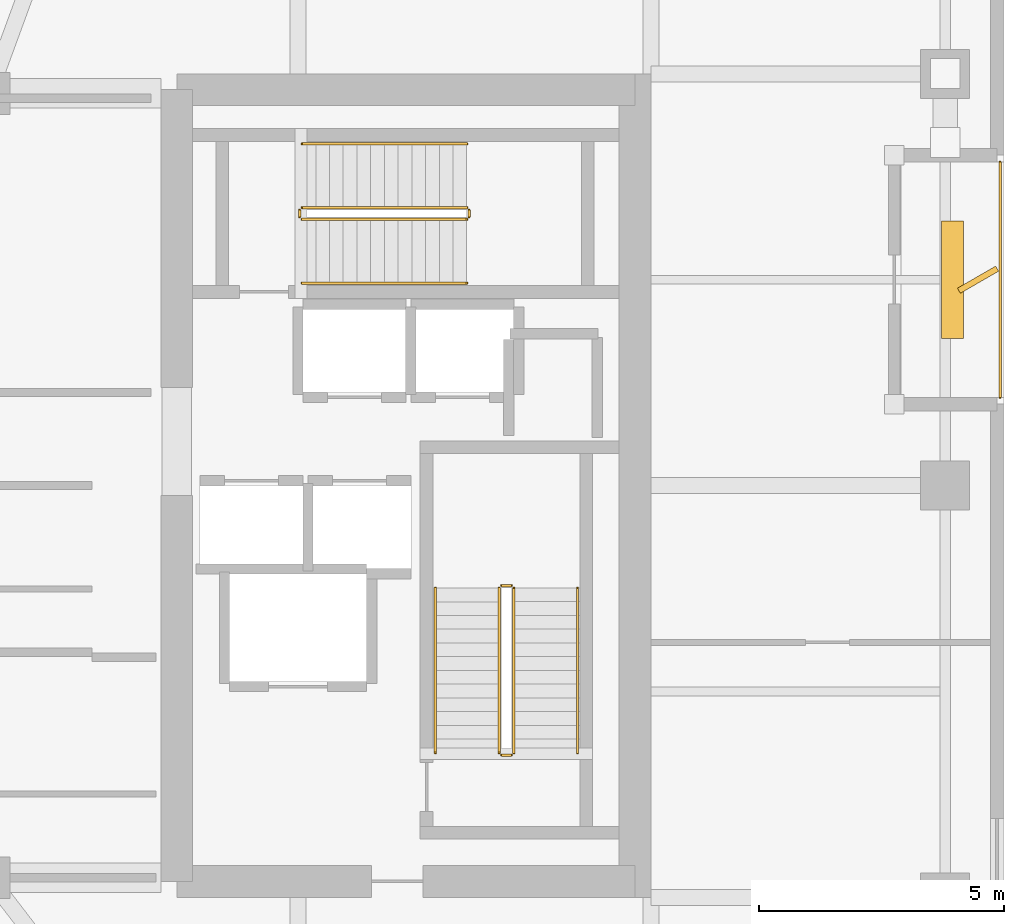
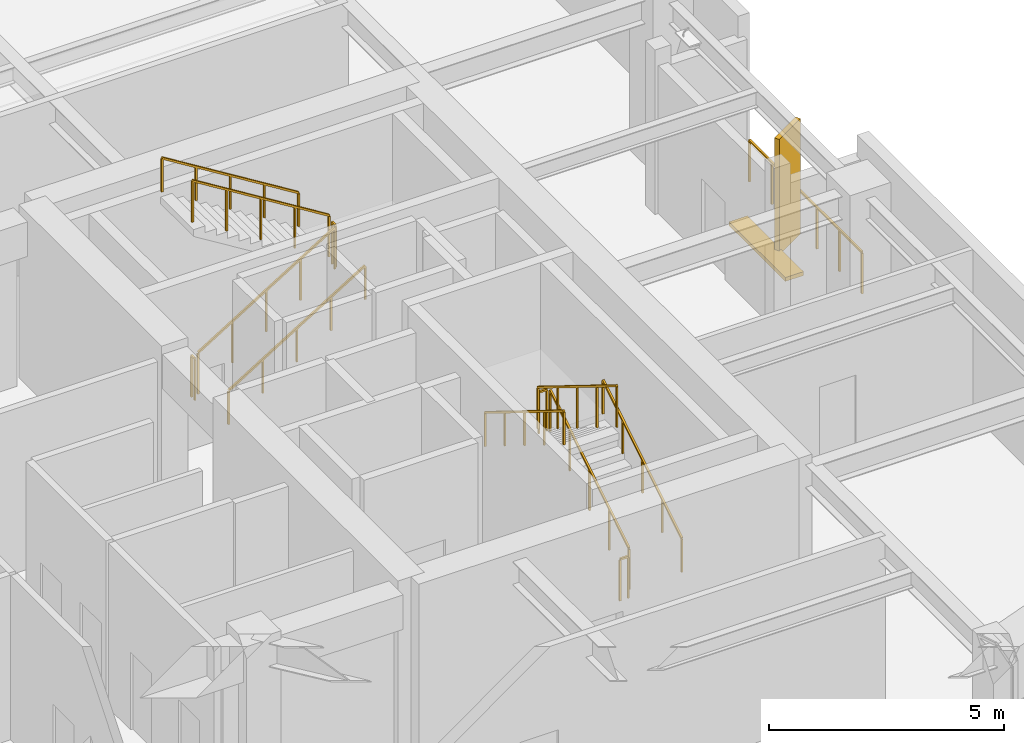
# One storey, part 18 of 19: 13 railings, 2 shading devices.
"""IFC4 building model written with IfcOpenShell, lengths in metres."""

from ifc_helpers import new_model, si_unit, direction, frame, origin, origin_2d, place, context, subcontext, project, spatial, rectangle, extrude, material, type_object, element, save


model = new_model("IFC4")

# Units and contexts
model_context = context("Model", 3, precision=1e-05, world=origin(), true_north=direction((0.0, 1.0)))
body_context = subcontext(model_context, "Body", "Model", "MODEL_VIEW")
ifc_project = project(units=[si_unit("LENGTHUNIT", "METRE"), si_unit("AREAUNIT", "SQUARE_METRE"), si_unit("VOLUMEUNIT", "CUBIC_METRE"), si_unit("PLANEANGLEUNIT", "RADIAN"), si_unit("MASSUNIT", "GRAM", prefix="KILO")], contexts=[model_context])

# Site, building, storey
site_placement = place(None, origin())
site = spatial("IfcSite", under=ifc_project, at=site_placement, CompositionType="ELEMENT")
building_placement = place(site_placement, origin())
building = spatial("IfcBuilding", under=site, at=building_placement, Name="Kiyonajd Concourse Tower", CompositionType="ELEMENT")
storey_placement = place(building_placement, frame((0.0, 0.0, 238.800048828125)))
storey = spatial("IfcBuildingStorey", under=building, at=storey_placement, Name="L60", CompositionType="ELEMENT", Elevation=238.800048828125)

# Railings
ifc_material_1 = material(Name="Thermally Broken Anodised Aluminium", Category="aluminium")
railing_type_1 = type_object("IfcRailingType", Name="RL-GRD-LOG", PredefinedType="GUARDRAIL", material=ifc_material_1)
railing_1_placement = place(storey_placement, frame((70.719970703125, 37.800048828125, 0.0)))
element("IfcRailing", 1, at=railing_1_placement, inside=storey, type_object=railing_type_1, Name="L60 Engawa Loggia Perimeter Guard LOG-E", PredefinedType="GUARDRAIL", context=body_context, shape_type="SweptSolid", body=[
    extrude(rectangle(XDim=0.048095703125, YDim=0.048095703125, at=origin_2d()), frame((0.0, 0.0, 1.076171875), z_axis=(0.0, 1.0, 0.0), x_axis=(-1.0, 0.0, 0.0)), (0.0, 0.0, 1.0), 4.800048828125),
    extrude(rectangle(XDim=0.0419921875, YDim=0.0419921875, at=origin_2d()), origin(), (0.0, 0.0, 1.0), 1.052001953125),
    extrude(rectangle(XDim=0.0419921875, YDim=0.0419921875, at=origin_2d()), frame((0.0, 0.9599609375, 0.0)), (0.0, 0.0, 1.0), 1.052001953125),
    extrude(rectangle(XDim=0.0419921875, YDim=0.0419921875, at=origin_2d()), frame((0.0, 1.919921875, 0.0)), (0.0, 0.0, 1.0), 1.052001953125),
    extrude(rectangle(XDim=0.0419921875, YDim=0.0419921875, at=origin_2d()), frame((0.0, 2.880126953125, 0.0)), (0.0, 0.0, 1.0), 1.052001953125),
    extrude(rectangle(XDim=0.0419921875, YDim=0.0419921875, at=origin_2d()), frame((0.0, 3.840087890625, 0.0)), (0.0, 0.0, 1.0), 1.052001953125),
    extrude(rectangle(XDim=0.0419921875, YDim=0.0419921875, at=origin_2d()), frame((0.0, 4.800048828125, 0.0)), (0.0, 0.0, 1.0), 1.052001953125),
])
ifc_material_2 = material(Name="Steel ASTM A500 Grade C", Category="steel")
railing_type_2 = type_object("IfcRailingType", Name="RL-GRD-STR", PredefinedType="GUARDRAIL", material=ifc_material_2)
railing_2_placement = place(storey_placement, frame((60.800048828125, 30.550048828125, 0.173095703125)))
element("IfcRailing", 2, at=railing_2_placement, inside=storey, type_object=railing_type_2, Name="L60 ST2 stair guard 1", PredefinedType="GUARDRAIL", context=body_context, shape_type="SweptSolid", body=[
    extrude(rectangle(XDim=0.048095703125, YDim=0.048095703125, at=origin_2d()), frame((0.0, 0.0, 1.076171875), z_axis=(0.0, 0.850606129759, 0.525803396734), x_axis=(-1.0, 0.0, 0.0)), (0.0, 0.0, 1.0), 3.949951171875),
    extrude(rectangle(XDim=0.0419921875, YDim=0.0419921875, at=origin_2d()), origin(), (0.0, 0.0, 1.0), 1.052001953125),
    extrude(rectangle(XDim=0.0419921875, YDim=0.0419921875, at=origin_2d()), frame((0.0, 0.83984375, 0.519287109375)), (0.0, 0.0, 1.0), 1.052001953125),
    extrude(rectangle(XDim=0.0419921875, YDim=0.0419921875, at=origin_2d()), frame((0.0, 1.679931640625, 1.03857421875)), (0.0, 0.0, 1.0), 1.052001953125),
    extrude(rectangle(XDim=0.0419921875, YDim=0.0419921875, at=origin_2d()), frame((0.0, 2.52001953125, 1.5576171875)), (0.0, 0.0, 1.0), 1.052001953125),
    extrude(rectangle(XDim=0.0419921875, YDim=0.0419921875, at=origin_2d()), frame((0.0, 3.35986328125, 2.076904296875)), (0.0, 0.0, 1.0), 1.052001953125),
])
railing_3_placement = place(storey_placement, frame((60.75, 33.9599609375, 2.25)))
element("IfcRailing", 3, at=railing_3_placement, inside=storey, type_object=railing_type_2, Name="L60 ST2 stair guard 2", PredefinedType="GUARDRAIL", context=body_context, shape_type="SweptSolid", body=[
    extrude(rectangle(XDim=0.048095703125, YDim=0.048095703125, at=origin_2d()), frame((0.0, 0.0, 1.076171875), z_axis=(-1.0, 0.0, 0.0), x_axis=(0.0, -1.0, 0.0)), (0.0, 0.0, 1.0), 0.199951171875),
    extrude(rectangle(XDim=0.0419921875, YDim=0.0419921875, at=origin_2d()), origin(), (0.0, 0.0, 1.0), 1.052001953125),
    extrude(rectangle(XDim=0.0419921875, YDim=0.0419921875, at=origin_2d()), frame((-0.199951171875, 0.0, 0.0)), (0.0, 0.0, 1.0), 1.052001953125),
])
railing_4_placement = place(storey_placement, frame((60.5, 33.909912109375, 2.423095703125)))
element("IfcRailing", 4, at=railing_4_placement, inside=storey, type_object=railing_type_2, Name="L60 ST2 stair guard 3", PredefinedType="GUARDRAIL", context=body_context, shape_type="SweptSolid", body=[
    extrude(rectangle(XDim=0.048095703125, YDim=0.048095703125, at=origin_2d()), frame((0.0, 0.0, 1.076171875), z_axis=(0.0, -0.850606129759, 0.525803396734), x_axis=(1.0, 0.0, 0.0)), (0.0, 0.0, 1.0), 3.949951171875),
    extrude(rectangle(XDim=0.0419921875, YDim=0.0419921875, at=origin_2d()), origin(), (0.0, 0.0, 1.0), 1.052001953125),
    extrude(rectangle(XDim=0.0419921875, YDim=0.0419921875, at=origin_2d()), frame((0.0, -0.83984375, 0.519287109375)), (0.0, 0.0, 1.0), 1.052001953125),
    extrude(rectangle(XDim=0.0419921875, YDim=0.0419921875, at=origin_2d()), frame((0.0, -1.679931640625, 1.03857421875)), (0.0, 0.0, 1.0), 1.052001953125),
    extrude(rectangle(XDim=0.0419921875, YDim=0.0419921875, at=origin_2d()), frame((0.0, -2.52001953125, 1.5576171875)), (0.0, 0.0, 1.0), 1.052001953125),
    extrude(rectangle(XDim=0.0419921875, YDim=0.0419921875, at=origin_2d()), frame((0.0, -3.35986328125, 2.076904296875)), (0.0, 0.0, 1.0), 1.052001953125),
])
railing_5_placement = place(storey_placement, frame((60.75, 30.5, 0.0)))
element("IfcRailing", 5, at=railing_5_placement, inside=storey, type_object=railing_type_2, Name="L60 ST2 stair guard 4", PredefinedType="GUARDRAIL", context=body_context, shape_type="SweptSolid", body=[
    extrude(rectangle(XDim=0.048095703125, YDim=0.048095703125, at=origin_2d()), frame((0.0, 0.0, 1.076171875), z_axis=(-1.0, 0.0, 0.0), x_axis=(0.0, -1.0, 0.0)), (0.0, 0.0, 1.0), 0.199951171875),
    extrude(rectangle(XDim=0.0419921875, YDim=0.0419921875, at=origin_2d()), origin(), (0.0, 0.0, 1.0), 1.052001953125),
    extrude(rectangle(XDim=0.0419921875, YDim=0.0419921875, at=origin_2d()), frame((-0.199951171875, 0.0, 0.0)), (0.0, 0.0, 1.0), 1.052001953125),
])
railing_6_placement = place(storey_placement, frame((56.47998046875, 41.429931640625, 0.173095703125)))
element("IfcRailing", 6, at=railing_6_placement, inside=storey, type_object=railing_type_2, Name="L60 ST3 stair guard 1", PredefinedType="GUARDRAIL", context=body_context, shape_type="SweptSolid", body=[
    extrude(rectangle(XDim=0.048095703125, YDim=0.048095703125, at=origin_2d()), frame((0.0, 0.0, 1.076171875), z_axis=(0.850623216509, 0.0, 0.525775754039), x_axis=(0.0, 1.0, 0.0)), (0.0, 0.0, 1.0), 3.9501953125),
    extrude(rectangle(XDim=0.0419921875, YDim=0.0419921875, at=origin_2d()), origin(), (0.0, 0.0, 1.0), 1.052001953125),
    extrude(rectangle(XDim=0.0419921875, YDim=0.0419921875, at=origin_2d()), frame((0.840087890625, 0.0, 0.519287109375)), (0.0, 0.0, 1.0), 1.052001953125),
    extrude(rectangle(XDim=0.0419921875, YDim=0.0419921875, at=origin_2d()), frame((1.68017578125, 0.0, 1.03857421875)), (0.0, 0.0, 1.0), 1.052001953125),
    extrude(rectangle(XDim=0.0419921875, YDim=0.0419921875, at=origin_2d()), frame((2.52001953125, 0.0, 1.5576171875)), (0.0, 0.0, 1.0), 1.052001953125),
    extrude(rectangle(XDim=0.0419921875, YDim=0.0419921875, at=origin_2d()), frame((3.360107421875, 0.0, 2.076904296875)), (0.0, 0.0, 1.0), 1.052001953125),
])
railing_7_placement = place(storey_placement, frame((59.889892578125, 41.47998046875, 2.25)))
element("IfcRailing", 7, at=railing_7_placement, inside=storey, type_object=railing_type_2, Name="L60 ST3 stair guard 2", PredefinedType="GUARDRAIL", context=body_context, shape_type="SweptSolid", body=[
    extrude(rectangle(XDim=0.048095703125, YDim=0.048095703125, at=origin_2d()), frame((0.0, 0.0, 1.076171875), z_axis=(0.0, 1.0, 0.0), x_axis=(-1.0, 0.0, 0.0)), (0.0, 0.0, 1.0), 0.14013671875),
    extrude(rectangle(XDim=0.0419921875, YDim=0.0419921875, at=origin_2d()), origin(), (0.0, 0.0, 1.0), 1.052001953125),
    extrude(rectangle(XDim=0.0419921875, YDim=0.0419921875, at=origin_2d()), frame((0.0, 0.14013671875, 0.0)), (0.0, 0.0, 1.0), 1.052001953125),
])
railing_8_placement = place(storey_placement, frame((59.840087890625, 41.669921875, 2.423095703125)))
element("IfcRailing", 8, at=railing_8_placement, inside=storey, type_object=railing_type_2, Name="L60 ST3 stair guard 3", PredefinedType="GUARDRAIL", context=body_context, shape_type="SweptSolid", body=[
    extrude(rectangle(XDim=0.048095703125, YDim=0.048095703125, at=origin_2d()), frame((0.0, 0.0, 1.076171875), z_axis=(-0.850623216509, 0.0, 0.525775754039), x_axis=(0.0, -1.0, 0.0)), (0.0, 0.0, 1.0), 3.9501953125),
    extrude(rectangle(XDim=0.0419921875, YDim=0.0419921875, at=origin_2d()), origin(), (0.0, 0.0, 1.0), 1.052001953125),
    extrude(rectangle(XDim=0.0419921875, YDim=0.0419921875, at=origin_2d()), frame((-0.840087890625, 0.0, 0.519287109375)), (0.0, 0.0, 1.0), 1.052001953125),
    extrude(rectangle(XDim=0.0419921875, YDim=0.0419921875, at=origin_2d()), frame((-1.68017578125, 0.0, 1.03857421875)), (0.0, 0.0, 1.0), 1.052001953125),
    extrude(rectangle(XDim=0.0419921875, YDim=0.0419921875, at=origin_2d()), frame((-2.52001953125, 0.0, 1.5576171875)), (0.0, 0.0, 1.0), 1.052001953125),
    extrude(rectangle(XDim=0.0419921875, YDim=0.0419921875, at=origin_2d()), frame((-3.360107421875, 0.0, 2.076904296875)), (0.0, 0.0, 1.0), 1.052001953125),
])
railing_9_placement = place(storey_placement, frame((56.429931640625, 41.47998046875, 0.0)))
element("IfcRailing", 9, at=railing_9_placement, inside=storey, type_object=railing_type_2, Name="L60 ST3 stair guard 4", PredefinedType="GUARDRAIL", context=body_context, shape_type="SweptSolid", body=[
    extrude(rectangle(XDim=0.048095703125, YDim=0.048095703125, at=origin_2d()), frame((0.0, 0.0, 1.076171875), z_axis=(0.0, 1.0, 0.0), x_axis=(-1.0, 0.0, 0.0)), (0.0, 0.0, 1.0), 0.14013671875),
    extrude(rectangle(XDim=0.0419921875, YDim=0.0419921875, at=origin_2d()), origin(), (0.0, 0.0, 1.0), 1.052001953125),
    extrude(rectangle(XDim=0.0419921875, YDim=0.0419921875, at=origin_2d()), frame((0.0, 0.14013671875, 0.0)), (0.0, 0.0, 1.0), 1.052001953125),
])
ifc_material_3 = material(Name="Brushed Stainless Steel Cab Assembly", Category="steel")
railing_type_3 = type_object("IfcRailingType", Name="RL-HND-900", PredefinedType="HANDRAIL", material=ifc_material_3)
railing_10_placement = place(storey_placement, frame((62.10009765625, 30.550048828125, 0.173095703125)))
element("IfcRailing", 10, at=railing_10_placement, inside=storey, type_object=railing_type_3, Name="L60 ST2 stair handrail 1", PredefinedType="HANDRAIL", context=body_context, shape_type="SweptSolid", body=[
    extrude(rectangle(XDim=0.048095703125, YDim=0.048095703125, at=origin_2d()), frame((0.0, 0.0, 0.8759765625), z_axis=(0.0, 0.850606129759, 0.525803396734), x_axis=(-1.0, 0.0, 0.0)), (0.0, 0.0, 1.0), 3.949951171875),
    extrude(rectangle(XDim=0.0419921875, YDim=0.0419921875, at=origin_2d()), origin(), (0.0, 0.0, 1.0), 0.851806640625),
    extrude(rectangle(XDim=0.0419921875, YDim=0.0419921875, at=origin_2d()), frame((0.0, 0.83984375, 0.519287109375)), (0.0, 0.0, 1.0), 0.851806640625),
    extrude(rectangle(XDim=0.0419921875, YDim=0.0419921875, at=origin_2d()), frame((0.0, 1.679931640625, 1.03857421875)), (0.0, 0.0, 1.0), 0.851806640625),
    extrude(rectangle(XDim=0.0419921875, YDim=0.0419921875, at=origin_2d()), frame((0.0, 2.52001953125, 1.5576171875)), (0.0, 0.0, 1.0), 0.851806640625),
    extrude(rectangle(XDim=0.0419921875, YDim=0.0419921875, at=origin_2d()), frame((0.0, 3.35986328125, 2.076904296875)), (0.0, 0.0, 1.0), 0.851806640625),
])
railing_11_placement = place(storey_placement, frame((59.199951171875, 33.909912109375, 2.423095703125)))
element("IfcRailing", 11, at=railing_11_placement, inside=storey, type_object=railing_type_3, Name="L60 ST2 stair handrail 2", PredefinedType="HANDRAIL", context=body_context, shape_type="SweptSolid", body=[
    extrude(rectangle(XDim=0.048095703125, YDim=0.048095703125, at=origin_2d()), frame((0.0, 0.0, 0.8759765625), z_axis=(0.0, -0.850606129759, 0.525803396734), x_axis=(1.0, 0.0, 0.0)), (0.0, 0.0, 1.0), 3.949951171875),
    extrude(rectangle(XDim=0.0419921875, YDim=0.0419921875, at=origin_2d()), origin(), (0.0, 0.0, 1.0), 0.851806640625),
    extrude(rectangle(XDim=0.0419921875, YDim=0.0419921875, at=origin_2d()), frame((0.0, -0.83984375, 0.519287109375)), (0.0, 0.0, 1.0), 0.851806640625),
    extrude(rectangle(XDim=0.0419921875, YDim=0.0419921875, at=origin_2d()), frame((0.0, -1.679931640625, 1.03857421875)), (0.0, 0.0, 1.0), 0.851806640625),
    extrude(rectangle(XDim=0.0419921875, YDim=0.0419921875, at=origin_2d()), frame((0.0, -2.52001953125, 1.5576171875)), (0.0, 0.0, 1.0), 0.851806640625),
    extrude(rectangle(XDim=0.0419921875, YDim=0.0419921875, at=origin_2d()), frame((0.0, -3.35986328125, 2.076904296875)), (0.0, 0.0, 1.0), 0.851806640625),
])
railing_12_placement = place(storey_placement, frame((56.47998046875, 40.1298828125, 0.173095703125)))
element("IfcRailing", 12, at=railing_12_placement, inside=storey, type_object=railing_type_3, Name="L60 ST3 stair handrail 1", PredefinedType="HANDRAIL", context=body_context, shape_type="SweptSolid", body=[
    extrude(rectangle(XDim=0.048095703125, YDim=0.048095703125, at=origin_2d()), frame((0.0, 0.0, 0.8759765625), z_axis=(0.850623216509, 0.0, 0.525775754039), x_axis=(0.0, 1.0, 0.0)), (0.0, 0.0, 1.0), 3.9501953125),
    extrude(rectangle(XDim=0.0419921875, YDim=0.0419921875, at=origin_2d()), origin(), (0.0, 0.0, 1.0), 0.851806640625),
    extrude(rectangle(XDim=0.0419921875, YDim=0.0419921875, at=origin_2d()), frame((0.840087890625, 0.0, 0.519287109375)), (0.0, 0.0, 1.0), 0.851806640625),
    extrude(rectangle(XDim=0.0419921875, YDim=0.0419921875, at=origin_2d()), frame((1.68017578125, 0.0, 1.03857421875)), (0.0, 0.0, 1.0), 0.851806640625),
    extrude(rectangle(XDim=0.0419921875, YDim=0.0419921875, at=origin_2d()), frame((2.52001953125, 0.0, 1.5576171875)), (0.0, 0.0, 1.0), 0.851806640625),
    extrude(rectangle(XDim=0.0419921875, YDim=0.0419921875, at=origin_2d()), frame((3.360107421875, 0.0, 2.076904296875)), (0.0, 0.0, 1.0), 0.851806640625),
])
railing_13_placement = place(storey_placement, frame((59.840087890625, 42.969970703125, 2.423095703125)))
element("IfcRailing", 13, at=railing_13_placement, inside=storey, type_object=railing_type_3, Name="L60 ST3 stair handrail 2", PredefinedType="HANDRAIL", context=body_context, shape_type="SweptSolid", body=[
    extrude(rectangle(XDim=0.048095703125, YDim=0.048095703125, at=origin_2d()), frame((0.0, 0.0, 0.8759765625), z_axis=(-0.850623216509, 0.0, 0.525775754039), x_axis=(0.0, -1.0, 0.0)), (0.0, 0.0, 1.0), 3.9501953125),
    extrude(rectangle(XDim=0.0419921875, YDim=0.0419921875, at=origin_2d()), origin(), (0.0, 0.0, 1.0), 0.851806640625),
    extrude(rectangle(XDim=0.0419921875, YDim=0.0419921875, at=origin_2d()), frame((-0.840087890625, 0.0, 0.519287109375)), (0.0, 0.0, 1.0), 0.851806640625),
    extrude(rectangle(XDim=0.0419921875, YDim=0.0419921875, at=origin_2d()), frame((-1.68017578125, 0.0, 1.03857421875)), (0.0, 0.0, 1.0), 0.851806640625),
    extrude(rectangle(XDim=0.0419921875, YDim=0.0419921875, at=origin_2d()), frame((-2.52001953125, 0.0, 1.5576171875)), (0.0, 0.0, 1.0), 0.851806640625),
    extrude(rectangle(XDim=0.0419921875, YDim=0.0419921875, at=origin_2d()), frame((-3.360107421875, 0.0, 2.076904296875)), (0.0, 0.0, 1.0), 0.851806640625),
])

# Shading devices
ifc_material_4 = material(Name="Precast concrete C50/60", Category="concrete")
shading_device_type_1 = type_object("IfcShadingDeviceType", Name="SH-FIN-900", PredefinedType="USERDEFINED", material=ifc_material_4)
shading_device_1_placement = place(storey_placement, frame((70.27001953125, 40.199951171875, 0.0), z_axis=(0.0, 0.0, 1.0), x_axis=(0.866025403784, 0.5, 0.0)))
element("IfcShadingDevice", 14, at=shading_device_1_placement, inside=storey, type_object=shading_device_type_1, Name="L60 Angled Koshi Solar Fin LOG-E", ObjectType="FIN", PredefinedType="USERDEFINED", context=body_context, shape_type="SweptSolid", body=[
    extrude(rectangle(XDim=0.89990234375, YDim=0.1201171875, at=origin_2d()), origin(), (0.0, 0.0, 1.0), 3.0),
])
shading_device_type_2 = type_object("IfcShadingDeviceType", Name="SH-LVR-600", PredefinedType="JALOUSIE", material=ifc_material_1)
shading_device_2_placement = place(storey_placement, frame((69.75, 40.199951171875, 0.0), z_axis=(0.0, 0.0, 1.0), x_axis=(0.0, 1.0, 0.0)))
element("IfcShadingDevice", 15, at=shading_device_2_placement, inside=storey, type_object=shading_device_type_2, Name="L60 Loggia Threshold Louver LOG-E", PredefinedType="JALOUSIE", context=body_context, shape_type="SweptSolid", body=[
    extrude(rectangle(XDim=2.39990234375, YDim=0.449951171875, at=origin_2d()), origin(), (0.0, 0.0, 1.0), 0.10009765625),
])

save(model, "model.ifc")
